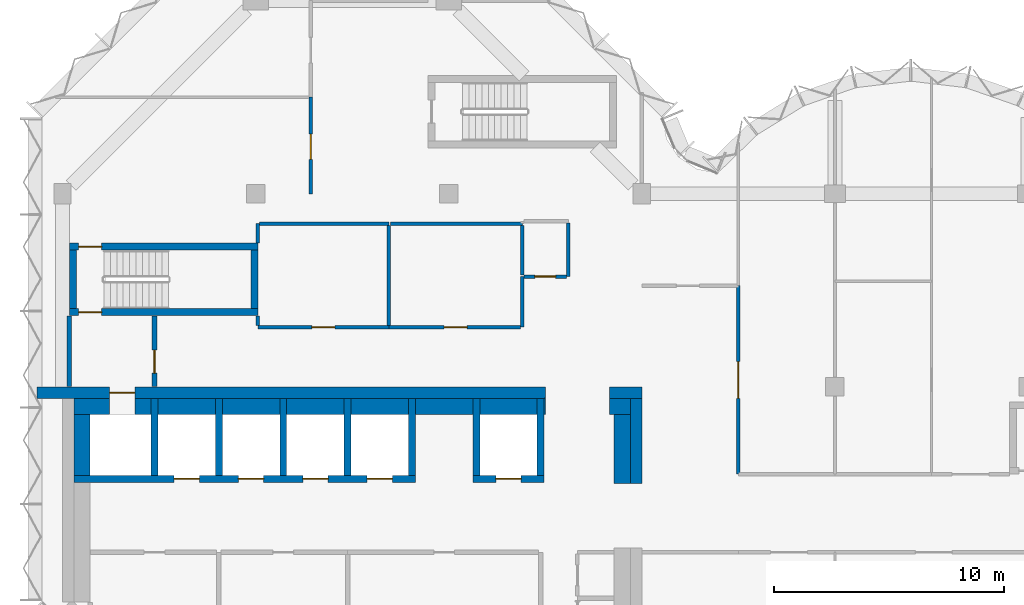
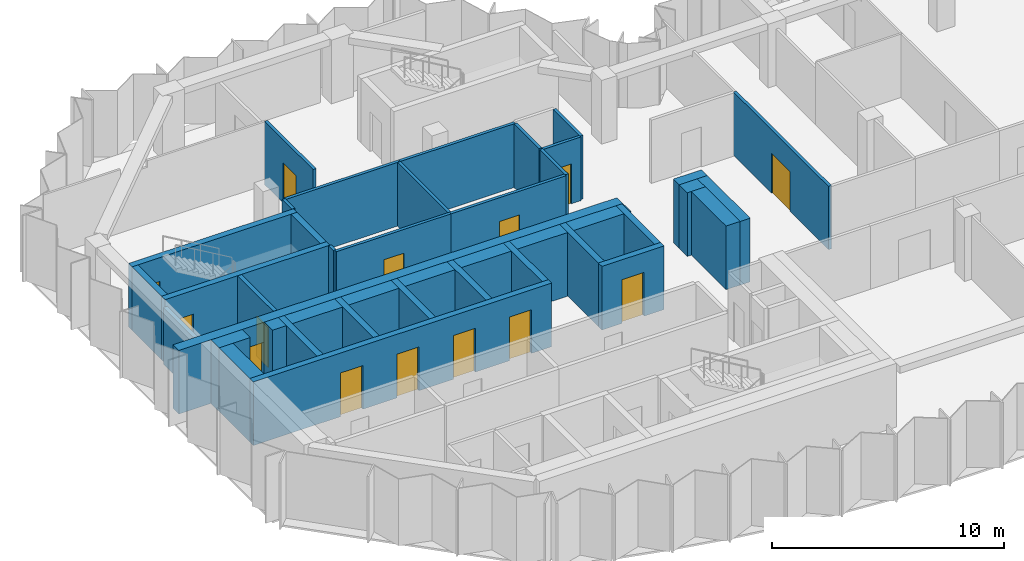
# One storey, part 5 of 10: 43 walls, 14 doors, 14 openings.
"""IFC4 building model written with IfcOpenShell, lengths in metres."""

from ifc_helpers import new_model, si_unit, direction, frame, frame_2d, origin, place, context, subcontext, project, spatial, rectangle, extrude, material, layer, layer_set, type_object, element, fill, save


model = new_model("IFC4")

# Units and contexts
model_context = context("Model", 3, precision=1e-05, world=origin(), true_north=direction((0.0, 1.0)))
body_context = subcontext(model_context, "Body", "Model", "MODEL_VIEW")
ifc_project = project(units=[si_unit("LENGTHUNIT", "METRE"), si_unit("AREAUNIT", "SQUARE_METRE"), si_unit("VOLUMEUNIT", "CUBIC_METRE"), si_unit("PLANEANGLEUNIT", "RADIAN"), si_unit("MASSUNIT", "GRAM", prefix="KILO")], contexts=[model_context])

# Site, building, storey
site_placement = place(None, origin())
site = spatial("IfcSite", under=ifc_project, at=site_placement, CompositionType="ELEMENT")
building_placement = place(site_placement, origin())
building = spatial("IfcBuilding", under=site, at=building_placement, Name="Brevane Broadcast Tower", CompositionType="ELEMENT")
storey_placement = place(building_placement, frame((0.0, 0.0, 230.10009765625)))
storey = spatial("IfcBuildingStorey", under=building, at=storey_placement, Name="L58", CompositionType="ELEMENT", Elevation=230.10009765625)

# Walls
ifc_material_1 = material(Name="Concrete C32/40", Category="concrete")
ifc_layer_1 = layer(ifc_material_1, 0.699951171875)
ifc_layer_set_1 = layer_set([ifc_layer_1], Name="Core chase wall 700 mm")
wall_type_1 = type_object("IfcWallType", Name="Core chase wall 700 mm", PredefinedType="PARTITIONING", material=ifc_layer_set_1)
wall_1_placement = place(storey_placement, frame((24.35009765625, 12.60009765625, 0.0), z_axis=(0.0, 0.0, 1.0), x_axis=(0.0, 1.0, 0.0)))
element("IfcWall", 1, at=wall_1_placement, inside=storey, type_object=wall_type_1, Name="L58 chase wall LE2", PredefinedType="PARTITIONING", context=body_context, shape_type="SweptSolid", body=[
    extrude(rectangle(XDim=3.0, YDim=0.699951171875, at=frame_2d((1.5, 0.0))), origin(), (0.0, 0.0, 1.0), 3.349853515625),
])
wall_2_placement = place(storey_placement, frame((0.5, 15.949951171875, 0.0), z_axis=(0.0, 0.0, 1.0), x_axis=(1.0, 0.0, 0.0)))
element("IfcWall", 2, at=wall_2_placement, inside=storey, type_object=wall_type_1, Name="L58 chase wall LN0", PredefinedType="PARTITIONING", context=body_context, shape_type="SweptSolid", body=[
    extrude(rectangle(XDim=1.550048828125, YDim=0.699951171875, at=frame_2d((0.77490234375, 0.0))), origin(), (0.0, 0.0, 1.0), 3.349853515625),
])
wall_3_placement = place(storey_placement, frame((23.800048828125, 15.949951171875, 0.0), z_axis=(0.0, 0.0, 1.0), x_axis=(1.0, 0.0, 0.0)))
element("IfcWall", 3, at=wall_3_placement, inside=storey, type_object=wall_type_1, Name="L58 chase wall LN2", PredefinedType="PARTITIONING", context=body_context, shape_type="SweptSolid", body=[
    extrude(rectangle(XDim=0.89990234375, YDim=0.699951171875, at=frame_2d((0.449951171875, 0.0))), origin(), (0.0, 0.0, 1.0), 3.349853515625),
])
wall_4_placement = place(storey_placement, frame((0.85009765625, 12.949951171875, 0.0), z_axis=(0.0, 0.0, 1.0), x_axis=(0.0, 1.0, 0.0)))
element("IfcWall", 4, at=wall_4_placement, inside=storey, type_object=wall_type_1, Name="L58 chase wall LW-2", PredefinedType="PARTITIONING", context=body_context, shape_type="SweptSolid", body=[
    extrude(rectangle(XDim=2.650146484375, YDim=0.699951171875, at=frame_2d((1.3251953125, 0.0))), origin(), (0.0, 0.0, 1.0), 3.349853515625),
])
wall_5_placement = place(storey_placement, frame((3.14990234375, 15.949951171875, 0.0), z_axis=(0.0, 0.0, 1.0), x_axis=(1.0, 0.0, 0.0)))
element("IfcWall", 5, at=wall_5_placement, inside=storey, type_object=wall_type_1, Name="L58 chase wall LN1-1", PredefinedType="PARTITIONING", context=body_context, shape_type="SweptSolid", body=[
    extrude(rectangle(XDim=0.7001953125, YDim=0.699951171875, at=frame_2d((0.35009765625, 0.0))), origin(), (0.0, 0.0, 1.0), 3.349853515625),
])
for number, where, z_axis, x_axis, name in (
    (6, (4.14990234375, 15.949951171875, 0.0), (0.0, 0.0, 1.0), (1.0, 0.0, 0.0), "L58 chase wall LN1-2-1"),
    (7, (6.949951171875, 15.949951171875, 0.0), (0.0, 0.0, 1.0), (1.0, 0.0, 0.0), "L58 chase wall LN1-2-2-1"),
    (8, (9.75, 15.949951171875, 0.0), (0.0, 0.0, 1.0), (1.0, 0.0, 0.0), "L58 chase wall LN1-2-2-2-1"),
    (9, (12.550048828125, 15.949951171875, 0.0), (0.0, 0.0, 1.0), (1.0, 0.0, 0.0), "L58 chase wall LN1-2-2-2-2-1"),
    (10, (15.35009765625, 15.949951171875, 0.0), (0.0, 0.0, 1.0), (1.0, 0.0, 0.0), "L58 chase wall LN1-2-2-2-2-2-1"),
    (11, (18.14990234375, 15.949951171875, 0.0), (0.0, 0.0, 1.0), (1.0, 0.0, 0.0), "L58 chase wall LN1-2-2-2-2-2-2-1"),
):
    element("IfcWall", number, at=place(storey_placement, frame(where, z_axis=z_axis, x_axis=x_axis)), inside=storey, type_object=wall_type_1, Name=name, PredefinedType="PARTITIONING", context=body_context, shape_type="SweptSolid", body=[
        extrude(rectangle(XDim=2.5, YDim=0.699951171875, at=frame_2d((1.25, 0.0))), origin(), (0.0, 0.0, 1.0), 3.349853515625),
    ])
wall_6_placement = place(storey_placement, frame((20.949951171875, 15.949951171875, 0.0), z_axis=(0.0, 0.0, 1.0), x_axis=(1.0, 0.0, 0.0)))
element("IfcWall", 12, at=wall_6_placement, inside=storey, type_object=wall_type_1, Name="L58 chase wall LN1-2-2-2-2-2-2-2", PredefinedType="PARTITIONING", context=body_context, shape_type="SweptSolid", body=[
    extrude(rectangle(XDim=0.050048828125, YDim=0.699951171875, at=frame_2d((0.02490234375, 0.0))), origin(), (0.0, 0.0, 1.0), 3.349853515625),
])

# Wall, opening, door
ifc_material_2 = material(Name="Gypsum board on steel studs", Category="steel")
ifc_layer_2 = layer(ifc_material_2, 0.14990234375)
ifc_layer_set_2 = layer_set([ifc_layer_2], Name="Core fire partition 150 mm")
wall_type_2 = type_object("IfcWallType", Name="Core fire partition 150 mm", PredefinedType="PARTITIONING", material=ifc_layer_set_2)
wall_7_placement = place(storey_placement, frame((14.199951171875, 19.39990234375, 0.0), z_axis=(0.0, 0.0, 1.0), x_axis=(-1.0, 0.0, 0.0)))
wall_7 = element("IfcWall", 13, at=wall_7_placement, inside=storey, type_object=wall_type_2, Name="L58 partition wall P22", PredefinedType="PARTITIONING", context=body_context, shape_type="SweptSolid", body=[
    extrude(rectangle(XDim=5.699951171875, YDim=0.14990234375, at=frame_2d((2.85009765625, 0.0))), origin(), (0.0, 0.0, 1.0), 3.349853515625),
])
opening_1_placement = place(wall_7_placement, frame((2.35009765625, 0.0, 0.0)))
opening_1 = element("IfcOpeningElement", 14, at=opening_1_placement, cuts=wall_7, Name="Opening L58-K24", PredefinedType="OPENING", context=body_context, shape_type="SweptSolid", body=[
    extrude(rectangle(XDim=1.0, YDim=2.10009765625, at=frame_2d((0.5, 1.050048828125))), frame((0.0, 0.0849609375, 0.0), z_axis=(0.0, -1.0, 0.0), x_axis=(1.0, 0.0, 0.0)), (0.0, 0.0, 1.0), 0.169921875),
])
ifc_material_3 = material(Name="Steel", Category="steel")
door_type_1 = type_object("IfcDoorType", Name="Service room door 1000 x 2100", OperationType="SINGLE_SWING_LEFT", PredefinedType="DOOR", material=ifc_material_3)
door_1_placement = place(opening_1_placement, origin())
door_1 = element("IfcDoor", 15, at=door_1_placement, inside=storey, type_object=door_type_1, Name="Door L58-K24", OperationType="SINGLE_SWING_LEFT", OverallHeight=2.10009765625, OverallWidth=1.0, PredefinedType="DOOR", context=body_context, shape_type="SweptSolid", body=[
    extrude(rectangle(XDim=1.0, YDim=2.10009765625, at=frame_2d((0.5, 1.050048828125))), frame((0.0, 0.02490234375, 0.0), z_axis=(0.0, -1.0, 0.0), x_axis=(1.0, 0.0, 0.0)), (0.0, 0.0, 1.0), 0.050048828125),
])
fill(opening_1, door_1)

# Walls
wall_8_placement = place(storey_placement, frame((8.5, 19.47509765625, 0.0), z_axis=(0.0, 0.0, 1.0), x_axis=(0.0, 1.0, 0.0)))
element("IfcWall", 16, at=wall_8_placement, inside=storey, type_object=wall_type_2, Name="L58 partition wall P23", PredefinedType="PARTITIONING", context=body_context, shape_type="SweptSolid", body=[
    extrude(rectangle(XDim=0.412841796875, YDim=0.14990234375, at=frame_2d((0.20654296875, 0.0))), origin(), (0.0, 0.0, 1.0), 3.349853515625),
])
wall_9_placement = place(storey_placement, frame((8.5, 23.06201171875, 0.0), z_axis=(0.0, 0.0, 1.0), x_axis=(0.0, 1.0, 0.0)))
element("IfcWall", 17, at=wall_9_placement, inside=storey, type_object=wall_type_2, Name="L58 partition wall P24", PredefinedType="PARTITIONING", context=body_context, shape_type="SweptSolid", body=[
    extrude(rectangle(XDim=0.837890625, YDim=0.14990234375, at=frame_2d((0.4189453125, 0.0))), origin(), (0.0, 0.0, 1.0), 3.349853515625),
])
wall_10_placement = place(storey_placement, frame((8.574951171875, 23.89990234375, 0.0), z_axis=(0.0, 0.0, 1.0), x_axis=(1.0, 0.0, 0.0)))
element("IfcWall", 18, at=wall_10_placement, inside=storey, type_object=wall_type_2, Name="L58 partition wall P25", PredefinedType="PARTITIONING", context=body_context, shape_type="SweptSolid", body=[
    extrude(rectangle(XDim=5.625, YDim=0.14990234375, at=frame_2d((2.8125, 0.0))), origin(), (0.0, 0.0, 1.0), 3.349853515625),
])
wall_11_placement = place(storey_placement, frame((20.0, 21.60009765625, 0.0), z_axis=(0.0, 0.0, 1.0), x_axis=(0.0, -1.0, 0.0)))
element("IfcWall", 19, at=wall_11_placement, inside=storey, type_object=wall_type_2, Name="L58 partition wall P26", PredefinedType="PARTITIONING", context=body_context, shape_type="SweptSolid", body=[
    extrude(rectangle(XDim=2.2001953125, YDim=0.14990234375, at=frame_2d((1.10009765625, 0.0))), origin(), (0.0, 0.0, 1.0), 3.349853515625),
])

# Wall, opening, door
wall_12_placement = place(storey_placement, frame((19.925048828125, 19.39990234375, 0.0), z_axis=(0.0, 0.0, 1.0), x_axis=(-1.0, 0.0, 0.0)))
wall_12 = element("IfcWall", 20, at=wall_12_placement, inside=storey, type_object=wall_type_2, Name="L58 partition wall P27", PredefinedType="PARTITIONING", context=body_context, shape_type="SweptSolid", body=[
    extrude(rectangle(XDim=5.72509765625, YDim=0.14990234375, at=frame_2d((2.862548828125, 0.0))), origin(), (0.0, 0.0, 1.0), 3.349853515625),
])
opening_2_placement = place(wall_12_placement, frame((2.324951171875, 0.0, 0.0)))
opening_2 = element("IfcOpeningElement", 21, at=opening_2_placement, cuts=wall_12, Name="Opening L58-K25", PredefinedType="OPENING", context=body_context, shape_type="SweptSolid", body=[
    extrude(rectangle(XDim=1.0, YDim=2.10009765625, at=frame_2d((0.5, 1.050048828125))), frame((0.0, 0.0849609375, 0.0), z_axis=(0.0, -1.0, 0.0), x_axis=(1.0, 0.0, 0.0)), (0.0, 0.0, 1.0), 0.169921875),
])
door_2_placement = place(opening_2_placement, origin())
door_2 = element("IfcDoor", 22, at=door_2_placement, inside=storey, type_object=door_type_1, Name="Door L58-K25", OperationType="SINGLE_SWING_RIGHT", OverallHeight=2.10009765625, OverallWidth=1.0, PredefinedType="DOOR", context=body_context, shape_type="SweptSolid", body=[
    extrude(rectangle(XDim=1.0, YDim=2.10009765625, at=frame_2d((0.5, 1.050048828125))), frame((0.0, 0.02490234375, 0.0), z_axis=(0.0, -1.0, 0.0), x_axis=(1.0, 0.0, 0.0)), (0.0, 0.0, 1.0), 0.050048828125),
])
fill(opening_2, door_2)

# Walls
wall_13_placement = place(storey_placement, frame((14.199951171875, 23.824951171875, 0.0), z_axis=(0.0, 0.0, 1.0), x_axis=(0.0, -1.0, 0.0)))
element("IfcWall", 23, at=wall_13_placement, inside=storey, type_object=wall_type_2, Name="L58 partition wall P28", PredefinedType="PARTITIONING", context=body_context, shape_type="SweptSolid", body=[
    extrude(rectangle(XDim=4.349853515625, YDim=0.14990234375, at=frame_2d((2.1748046875, 0.0))), origin(), (0.0, 0.0, 1.0), 3.349853515625),
])
wall_14_placement = place(storey_placement, frame((14.27490234375, 23.89990234375, 0.0), z_axis=(0.0, 0.0, 1.0), x_axis=(1.0, 0.0, 0.0)))
element("IfcWall", 24, at=wall_14_placement, inside=storey, type_object=wall_type_2, Name="L58 partition wall P29", PredefinedType="PARTITIONING", context=body_context, shape_type="SweptSolid", body=[
    extrude(rectangle(XDim=5.72509765625, YDim=0.14990234375, at=frame_2d((2.862548828125, 0.0))), origin(), (0.0, 0.0, 1.0), 3.349853515625),
])
wall_15_placement = place(storey_placement, frame((22.0, 23.925048828125, 0.0), z_axis=(0.0, 0.0, 1.0), x_axis=(0.0, -1.0, 0.0)))
element("IfcWall", 25, at=wall_15_placement, inside=storey, type_object=wall_type_2, Name="L58 partition wall P32", PredefinedType="PARTITIONING", context=body_context, shape_type="SweptSolid", body=[
    extrude(rectangle(XDim=2.324951171875, YDim=0.14990234375, at=frame_2d((1.16259765625, 0.0))), origin(), (0.0, 0.0, 1.0), 3.349853515625),
])

# Wall, opening, door
wall_16_placement = place(storey_placement, frame((21.925048828125, 21.60009765625, 0.0), z_axis=(0.0, 0.0, 1.0), x_axis=(-1.0, 0.0, 0.0)))
wall_16 = element("IfcWall", 26, at=wall_16_placement, inside=storey, type_object=wall_type_2, Name="L58 partition wall P33", PredefinedType="PARTITIONING", context=body_context, shape_type="SweptSolid", body=[
    extrude(rectangle(XDim=1.85009765625, YDim=0.14990234375, at=frame_2d((0.925048828125, 0.0))), origin(), (0.0, 0.0, 1.0), 3.349853515625),
])
opening_3_placement = place(wall_16_placement, frame((0.47509765625, 0.0, 0.0)))
opening_3 = element("IfcOpeningElement", 27, at=opening_3_placement, cuts=wall_16, Name="Opening L58-K23", PredefinedType="OPENING", context=body_context, shape_type="SweptSolid", body=[
    extrude(rectangle(XDim=0.89990234375, YDim=2.10009765625, at=frame_2d((0.449951171875, 1.050048828125))), frame((0.0, 0.0849609375, 0.0), z_axis=(0.0, -1.0, 0.0), x_axis=(1.0, 0.0, 0.0)), (0.0, 0.0, 1.0), 0.169921875),
])
ifc_material_4 = material(Name="Timber", Category="wood")
door_type_2 = type_object("IfcDoorType", Name="Toilet door 900 x 2100", OperationType="SINGLE_SWING_LEFT", PredefinedType="DOOR", material=ifc_material_4)
door_3_placement = place(opening_3_placement, origin())
door_3 = element("IfcDoor", 28, at=door_3_placement, inside=storey, type_object=door_type_2, Name="Door L58-K23", OperationType="SINGLE_SWING_RIGHT", OverallHeight=2.10009765625, OverallWidth=0.89990234375, PredefinedType="DOOR", context=body_context, shape_type="SweptSolid", body=[
    extrude(rectangle(XDim=0.89990234375, YDim=2.10009765625, at=frame_2d((0.449951171875, 1.050048828125))), frame((0.0, 0.02490234375, 0.0), z_axis=(0.0, -1.0, 0.0), x_axis=(1.0, 0.0, 0.0)), (0.0, 0.0, 1.0), 0.050048828125),
])
fill(opening_3, door_3)

# Walls
wall_17_placement = place(storey_placement, frame((20.0, 21.675048828125, 0.0), z_axis=(0.0, 0.0, 1.0), x_axis=(0.0, 1.0, 0.0)))
element("IfcWall", 29, at=wall_17_placement, inside=storey, type_object=wall_type_2, Name="L58 partition wall P34", PredefinedType="PARTITIONING", context=body_context, shape_type="SweptSolid", body=[
    extrude(rectangle(XDim=2.14990234375, YDim=0.14990234375, at=frame_2d((1.074951171875, 0.0))), origin(), (0.0, 0.0, 1.0), 3.349853515625),
])
ifc_layer_3 = layer(ifc_material_2, 0.199951171875)
ifc_layer_set_3 = layer_set([ifc_layer_3], Name="Core fire partition 200 mm")
wall_type_3 = type_object("IfcWallType", Name="Core fire partition 200 mm", PredefinedType="PARTITIONING", material=ifc_layer_set_3)
wall_18_placement = place(storey_placement, frame((0.300048828125, 16.81201171875, 0.0), z_axis=(0.0, 0.0, 1.0), x_axis=(0.0, 1.0, 0.0)))
element("IfcWall", 30, at=wall_18_placement, inside=storey, type_object=wall_type_3, Name="L58 partition wall P01", PredefinedType="PARTITIONING", context=body_context, shape_type="SweptSolid", body=[
    extrude(rectangle(XDim=3.075927734375, YDim=0.199951171875, at=frame_2d((1.5380859375, 0.0))), origin(), (0.0, 0.0, 1.0), 2.97998046875),
])

# Wall, opening, door
wall_19_placement = place(storey_placement, frame((4.0, 19.887939453125, 0.0), z_axis=(0.0, 0.0, 1.0), x_axis=(0.0, -1.0, 0.0)))
wall_19 = element("IfcWall", 31, at=wall_19_placement, inside=storey, type_object=wall_type_3, Name="L58 partition wall P02", PredefinedType="PARTITIONING", context=body_context, shape_type="SweptSolid", body=[
    extrude(rectangle(XDim=3.075927734375, YDim=0.199951171875, at=frame_2d((1.5380859375, 0.0))), origin(), (0.0, 0.0, 1.0), 3.349853515625),
])
opening_4_placement = place(wall_19_placement, frame((1.488037109375, 0.0, 0.0)))
opening_4 = element("IfcOpeningElement", 32, at=opening_4_placement, cuts=wall_19, Name="Opening L58-K22", PredefinedType="OPENING", context=body_context, shape_type="SweptSolid", body=[
    extrude(rectangle(XDim=1.0, YDim=2.10009765625, at=frame_2d((0.5, 1.050048828125))), frame((0.0, 0.10986328125, 0.0), z_axis=(0.0, -1.0, 0.0), x_axis=(1.0, 0.0, 0.0)), (0.0, 0.0, 1.0), 0.219970703125),
])
door_type_3 = type_object("IfcDoorType", Name="Stair door 1000 x 2100", OperationType="SINGLE_SWING_LEFT", PredefinedType="DOOR", material=ifc_material_3)
door_4_placement = place(opening_4_placement, origin())
door_4 = element("IfcDoor", 33, at=door_4_placement, inside=storey, type_object=door_type_3, Name="Door L58-K22", OperationType="SINGLE_SWING_LEFT", OverallHeight=2.10009765625, OverallWidth=1.0, PredefinedType="DOOR", context=body_context, shape_type="SweptSolid", body=[
    extrude(rectangle(XDim=1.0, YDim=2.10009765625, at=frame_2d((0.5, 1.050048828125))), frame((0.0, 0.02490234375, 0.0), z_axis=(0.0, -1.0, 0.0), x_axis=(1.0, 0.0, 0.0)), (0.0, 0.0, 1.0), 0.050048828125),
])
fill(opening_4, door_4)

# Wall, openings, doors
ifc_material_5 = material(Name="Concrete C50/60", Category="concrete")
ifc_layer_4 = layer(ifc_material_5, 0.300048828125)
ifc_layer_set_4 = layer_set([ifc_layer_4], Name="Core wall 300 mm C50/60")
wall_type_4 = type_object("IfcWallType", Name="Core wall 300 mm C50/60", PredefinedType="SHEAR", material=ifc_layer_set_4)
wall_20_placement = place(storey_placement, frame((0.5, 12.800048828125, 0.0), z_axis=(0.0, 0.0, 1.0), x_axis=(1.0, 0.0, 0.0)))
wall_20 = element("IfcWall", 34, at=wall_20_placement, inside=storey, type_object=wall_type_4, Name="L58 shaft wall SH-N012-front", PredefinedType="SHEAR", context=body_context, shape_type="SweptSolid", body=[
    extrude(rectangle(XDim=14.85009765625, YDim=0.300048828125, at=frame_2d((7.425048828125, 0.0))), origin(), (0.0, 0.0, 1.0), 3.349853515625),
])
opening_5_placement = place(wall_20_placement, frame((4.35009765625, 0.0, 0.0)))
opening_5 = element("IfcOpeningElement", 35, at=opening_5_placement, cuts=wall_20, Name="Opening LD", PredefinedType="OPENING", context=body_context, shape_type="SweptSolid", body=[
    extrude(rectangle(XDim=1.10009765625, YDim=2.300048828125, at=frame_2d((0.550048828125, 1.14990234375))), frame((0.0, 0.159912109375, 0.0), z_axis=(0.0, -1.0, 0.0), x_axis=(1.0, 0.0, 0.0)), (0.0, 0.0, 1.0), 0.320068359375),
])
opening_6_placement = place(wall_20_placement, frame((7.14990234375, 0.0, 0.0)))
opening_6 = element("IfcOpeningElement", 36, at=opening_6_placement, cuts=wall_20, Name="Opening LD", PredefinedType="OPENING", context=body_context, shape_type="SweptSolid", body=[
    extrude(rectangle(XDim=1.10009765625, YDim=2.300048828125, at=frame_2d((0.550048828125, 1.14990234375))), frame((0.0, 0.159912109375, 0.0), z_axis=(0.0, -1.0, 0.0), x_axis=(1.0, 0.0, 0.0)), (0.0, 0.0, 1.0), 0.320068359375),
])
opening_7_placement = place(wall_20_placement, frame((9.949951171875, 0.0, 0.0)))
opening_7 = element("IfcOpeningElement", 37, at=opening_7_placement, cuts=wall_20, Name="Opening LD", PredefinedType="OPENING", context=body_context, shape_type="SweptSolid", body=[
    extrude(rectangle(XDim=1.10009765625, YDim=2.300048828125, at=frame_2d((0.550048828125, 1.14990234375))), frame((0.0, 0.159912109375, 0.0), z_axis=(0.0, -1.0, 0.0), x_axis=(1.0, 0.0, 0.0)), (0.0, 0.0, 1.0), 0.320068359375),
])
opening_8_placement = place(wall_20_placement, frame((12.75, 0.0, 0.0)))
opening_8 = element("IfcOpeningElement", 38, at=opening_8_placement, cuts=wall_20, Name="Opening LD", PredefinedType="OPENING", context=body_context, shape_type="SweptSolid", body=[
    extrude(rectangle(XDim=1.10009765625, YDim=2.300048828125, at=frame_2d((0.550048828125, 1.14990234375))), frame((0.0, 0.159912109375, 0.0), z_axis=(0.0, -1.0, 0.0), x_axis=(1.0, 0.0, 0.0)), (0.0, 0.0, 1.0), 0.320068359375),
])
ifc_material_6 = material(Name="Stainless steel", Category="steel")
door_type_4 = type_object("IfcDoorType", Name="Lift landing door", OperationType="SLIDING_TO_LEFT", PredefinedType="DOOR", material=ifc_material_6)
door_5_placement = place(opening_5_placement, origin())
door_5 = element("IfcDoor", 39, at=door_5_placement, inside=storey, type_object=door_type_4, Name="Landing door HR1 L58", OperationType="SLIDING_TO_LEFT", OverallHeight=2.300048828125, OverallWidth=1.10009765625, PredefinedType="DOOR", context=body_context, shape_type="SweptSolid", body=[
    extrude(rectangle(XDim=1.10009765625, YDim=2.300048828125, at=frame_2d((0.550048828125, 1.14990234375))), frame((0.0, 0.02490234375, 0.0), z_axis=(0.0, -1.0, 0.0), x_axis=(1.0, 0.0, 0.0)), (0.0, 0.0, 1.0), 0.050048828125),
])
fill(opening_5, door_5)
door_6_placement = place(opening_6_placement, origin())
door_6 = element("IfcDoor", 40, at=door_6_placement, inside=storey, type_object=door_type_4, Name="Landing door HR2 L58", OperationType="SLIDING_TO_LEFT", OverallHeight=2.300048828125, OverallWidth=1.10009765625, PredefinedType="DOOR", context=body_context, shape_type="SweptSolid", body=[
    extrude(rectangle(XDim=1.10009765625, YDim=2.300048828125, at=frame_2d((0.550048828125, 1.14990234375))), frame((0.0, 0.02490234375, 0.0), z_axis=(0.0, -1.0, 0.0), x_axis=(1.0, 0.0, 0.0)), (0.0, 0.0, 1.0), 0.050048828125),
])
fill(opening_6, door_6)
door_7_placement = place(opening_7_placement, origin())
door_7 = element("IfcDoor", 41, at=door_7_placement, inside=storey, type_object=door_type_4, Name="Landing door HR3 L58", OperationType="SLIDING_TO_LEFT", OverallHeight=2.300048828125, OverallWidth=1.10009765625, PredefinedType="DOOR", context=body_context, shape_type="SweptSolid", body=[
    extrude(rectangle(XDim=1.10009765625, YDim=2.300048828125, at=frame_2d((0.550048828125, 1.14990234375))), frame((0.0, 0.02490234375, 0.0), z_axis=(0.0, -1.0, 0.0), x_axis=(1.0, 0.0, 0.0)), (0.0, 0.0, 1.0), 0.050048828125),
])
fill(opening_7, door_7)
door_8_placement = place(opening_8_placement, origin())
door_8 = element("IfcDoor", 42, at=door_8_placement, inside=storey, type_object=door_type_4, Name="Landing door HR4 L58", OperationType="SLIDING_TO_LEFT", OverallHeight=2.300048828125, OverallWidth=1.10009765625, PredefinedType="DOOR", context=body_context, shape_type="SweptSolid", body=[
    extrude(rectangle(XDim=1.10009765625, YDim=2.300048828125, at=frame_2d((0.550048828125, 1.14990234375))), frame((0.0, 0.02490234375, 0.0), z_axis=(0.0, -1.0, 0.0), x_axis=(1.0, 0.0, 0.0)), (0.0, 0.0, 1.0), 0.050048828125),
])
fill(opening_8, door_8)

# Walls
for number, where, z_axis, x_axis, name in (
    (43, (4.0, 12.949951171875, 0.0), (0.0, 0.0, 1.0), (0.0, 1.0, 0.0), "L58 shaft wall SH-N-P040"),
    (44, (6.800048828125, 12.949951171875, 0.0), (0.0, 0.0, 1.0), (0.0, 1.0, 0.0), "L58 shaft wall SH-N-P068"),
    (45, (9.60009765625, 12.949951171875, 0.0), (0.0, 0.0, 1.0), (0.0, 1.0, 0.0), "L58 shaft wall SH-N-P096"),
    (46, (12.39990234375, 12.949951171875, 0.0), (0.0, 0.0, 1.0), (0.0, 1.0, 0.0), "L58 shaft wall SH-N-P124"),
    (47, (15.199951171875, 12.949951171875, 0.0), (0.0, 0.0, 1.0), (0.0, 1.0, 0.0), "L58 shaft wall SH-N-P152"),
):
    element("IfcWall", number, at=place(storey_placement, frame(where, z_axis=z_axis, x_axis=x_axis)), inside=storey, type_object=wall_type_4, Name=name, PredefinedType="SHEAR", context=body_context, shape_type="SweptSolid", body=[
        extrude(rectangle(XDim=3.35009765625, YDim=0.300048828125, at=frame_2d((1.675048828125, 0.0))), origin(), (0.0, 0.0, 1.0), 3.349853515625),
    ])

# Wall, opening, door
wall_21_placement = place(storey_placement, frame((17.85009765625, 12.800048828125, 0.0), z_axis=(0.0, 0.0, 1.0), x_axis=(1.0, 0.0, 0.0)))
wall_21 = element("IfcWall", 48, at=wall_21_placement, inside=storey, type_object=wall_type_4, Name="L58 shaft wall SH-N180-front", PredefinedType="SHEAR", context=body_context, shape_type="SweptSolid", body=[
    extrude(rectangle(XDim=3.099853515625, YDim=0.300048828125, at=frame_2d((1.5498046875, 0.0))), origin(), (0.0, 0.0, 1.0), 3.349853515625),
])
opening_9_placement = place(wall_21_placement, frame((1.0, 0.0, 0.0)))
opening_9 = element("IfcOpeningElement", 49, at=opening_9_placement, cuts=wall_21, Name="Opening LD", PredefinedType="OPENING", context=body_context, shape_type="SweptSolid", body=[
    extrude(rectangle(XDim=1.10009765625, YDim=2.300048828125, at=frame_2d((0.550048828125, 1.14990234375))), frame((0.0, 0.159912109375, 0.0), z_axis=(0.0, -1.0, 0.0), x_axis=(1.0, 0.0, 0.0)), (0.0, 0.0, 1.0), 0.320068359375),
])
door_9_placement = place(opening_9_placement, origin())
door_9 = element("IfcDoor", 50, at=door_9_placement, inside=storey, type_object=door_type_4, Name="Landing door SL1 L58", OperationType="SLIDING_TO_LEFT", OverallHeight=2.300048828125, OverallWidth=1.10009765625, PredefinedType="DOOR", context=body_context, shape_type="SweptSolid", body=[
    extrude(rectangle(XDim=1.10009765625, YDim=2.300048828125, at=frame_2d((0.550048828125, 1.14990234375))), frame((0.0, 0.02490234375, 0.0), z_axis=(0.0, -1.0, 0.0), x_axis=(1.0, 0.0, 0.0)), (0.0, 0.0, 1.0), 0.050048828125),
])
fill(opening_9, door_9)

# Walls
for number, where, z_axis, x_axis, name in (
    (51, (18.0, 12.949951171875, 0.0), (0.0, 0.0, 1.0), (0.0, 1.0, 0.0), "L58 shaft wall SH-N-P180"),
    (52, (20.800048828125, 12.949951171875, 0.0), (0.0, 0.0, 1.0), (0.0, 1.0, 0.0), "L58 shaft wall SH-N-P208"),
):
    element("IfcWall", number, at=place(storey_placement, frame(where, z_axis=z_axis, x_axis=x_axis)), inside=storey, type_object=wall_type_4, Name=name, PredefinedType="SHEAR", context=body_context, shape_type="SweptSolid", body=[
        extrude(rectangle(XDim=3.35009765625, YDim=0.300048828125, at=frame_2d((1.675048828125, 0.0))), origin(), (0.0, 0.0, 1.0), 3.349853515625),
    ])

# Wall, opening, door
wall_22_placement = place(storey_placement, frame((8.5, 20.050048828125, 0.0), z_axis=(0.0, 0.0, 1.0), x_axis=(-1.0, 0.0, 0.0)))
wall_22 = element("IfcWall", 53, at=wall_22_placement, inside=storey, type_object=wall_type_4, Name="L58 stair wall ST-1-S", PredefinedType="SHEAR", context=body_context, shape_type="SweptSolid", body=[
    extrude(rectangle(XDim=8.199951171875, YDim=0.300048828125, at=frame_2d((4.10009765625, 0.0))), origin(), (0.0, 0.0, 1.0), 3.349853515625),
])
opening_10_placement = place(wall_22_placement, frame((6.800048828125, 0.0, 0.0)))
opening_10 = element("IfcOpeningElement", 54, at=opening_10_placement, cuts=wall_22, Name="Opening L58-K08", PredefinedType="OPENING", context=body_context, shape_type="SweptSolid", body=[
    extrude(rectangle(XDim=1.0, YDim=2.10009765625, at=frame_2d((0.5, 1.050048828125))), frame((0.0, 0.159912109375, 0.0), z_axis=(0.0, -1.0, 0.0), x_axis=(1.0, 0.0, 0.0)), (0.0, 0.0, 1.0), 0.320068359375),
])
door_10_placement = place(opening_10_placement, origin())
door_10 = element("IfcDoor", 55, at=door_10_placement, inside=storey, type_object=door_type_3, Name="Door L58-K08", OperationType="SINGLE_SWING_LEFT", OverallHeight=2.10009765625, OverallWidth=1.0, PredefinedType="DOOR", context=body_context, shape_type="SweptSolid", body=[
    extrude(rectangle(XDim=1.0, YDim=2.10009765625, at=frame_2d((0.5, 1.050048828125))), frame((0.0, 0.02490234375, 0.0), z_axis=(0.0, -1.0, 0.0), x_axis=(1.0, 0.0, 0.0)), (0.0, 0.0, 1.0), 0.050048828125),
])
fill(opening_10, door_10)

wall_23_placement = place(storey_placement, frame((0.300048828125, 22.89990234375, 0.0), z_axis=(0.0, 0.0, 1.0), x_axis=(1.0, 0.0, 0.0)))
wall_23 = element("IfcWall", 56, at=wall_23_placement, inside=storey, type_object=wall_type_4, Name="L58 stair wall ST-1-N", PredefinedType="SHEAR", context=body_context, shape_type="SweptSolid", body=[
    extrude(rectangle(XDim=8.199951171875, YDim=0.300048828125, at=frame_2d((4.10009765625, 0.0))), origin(), (0.0, 0.0, 1.0), 3.349853515625),
])
opening_11_placement = place(wall_23_placement, frame((0.39990234375, 0.0, 0.0)))
opening_11 = element("IfcOpeningElement", 57, at=opening_11_placement, cuts=wall_23, Name="Opening L58-K09", PredefinedType="OPENING", context=body_context, shape_type="SweptSolid", body=[
    extrude(rectangle(XDim=1.0, YDim=2.10009765625, at=frame_2d((0.5, 1.050048828125))), frame((0.0, 0.159912109375, 0.0), z_axis=(0.0, -1.0, 0.0), x_axis=(1.0, 0.0, 0.0)), (0.0, 0.0, 1.0), 0.320068359375),
])
door_11_placement = place(opening_11_placement, origin())
door_11 = element("IfcDoor", 58, at=door_11_placement, inside=storey, type_object=door_type_3, Name="Door L58-K09", OperationType="SINGLE_SWING_RIGHT", OverallHeight=2.10009765625, OverallWidth=1.0, PredefinedType="DOOR", context=body_context, shape_type="SweptSolid", body=[
    extrude(rectangle(XDim=1.0, YDim=2.10009765625, at=frame_2d((0.5, 1.050048828125))), frame((0.0, 0.02490234375, 0.0), z_axis=(0.0, -1.0, 0.0), x_axis=(1.0, 0.0, 0.0)), (0.0, 0.0, 1.0), 0.050048828125),
])
fill(opening_11, door_11)

# Walls
for number, where, z_axis, x_axis, name in (
    (59, (0.449951171875, 20.199951171875, 0.0), (0.0, 0.0, 1.0), (0.0, 1.0, 0.0), "L58 stair wall ST-1-W"),
    (60, (8.35009765625, 20.199951171875, 0.0), (0.0, 0.0, 1.0), (0.0, 1.0, 0.0), "L58 stair wall ST-1-E"),
):
    element("IfcWall", number, at=place(storey_placement, frame(where, z_axis=z_axis, x_axis=x_axis)), inside=storey, type_object=wall_type_4, Name=name, PredefinedType="SHEAR", context=body_context, shape_type="SweptSolid", body=[
        extrude(rectangle(XDim=2.550048828125, YDim=0.300048828125, at=frame_2d((1.27490234375, 0.0))), origin(), (0.0, 0.0, 1.0), 3.349853515625),
    ])

# Wall, opening, door
ifc_layer_5 = layer(ifc_material_5, 0.5)
ifc_layer_set_5 = layer_set([ifc_layer_5], Name="Core wall 500 mm C50/60")
wall_type_5 = type_object("IfcWallType", Name="Core wall 500 mm C50/60", PredefinedType="SHEAR", material=ifc_layer_set_5)
wall_24_placement = place(storey_placement, frame((-1.10009765625, 16.550048828125, 0.0), z_axis=(0.0, 0.0, 1.0), x_axis=(1.0, 0.0, 0.0)))
wall_24 = element("IfcWall", 61, at=wall_24_placement, inside=storey, type_object=wall_type_5, Name="L58 outer wall WN1", PredefinedType="SHEAR", context=body_context, shape_type="SweptSolid", body=[
    extrude(rectangle(XDim=22.10009765625, YDim=0.5, at=frame_2d((11.050048828125, 0.0))), origin(), (0.0, 0.0, 1.0), 3.349853515625),
])
opening_12_placement = place(wall_24_placement, frame((3.14990234375, 0.0, 0.0)))
opening_12 = element("IfcOpeningElement", 62, at=opening_12_placement, cuts=wall_24, Name="Opening LD", PredefinedType="OPENING", context=body_context, shape_type="SweptSolid", body=[
    extrude(rectangle(XDim=1.10009765625, YDim=2.300048828125, at=frame_2d((0.550048828125, 1.14990234375))), frame((0.0, 0.260009765625, 0.0), z_axis=(0.0, -1.0, 0.0), x_axis=(1.0, 0.0, 0.0)), (0.0, 0.0, 1.0), 0.52001953125),
])
door_12_placement = place(opening_12_placement, origin())
door_12 = element("IfcDoor", 63, at=door_12_placement, inside=storey, type_object=door_type_4, Name="Landing door FF1 L58", OperationType="SLIDING_TO_LEFT", OverallHeight=2.300048828125, OverallWidth=1.10009765625, PredefinedType="DOOR", context=body_context, shape_type="SweptSolid", body=[
    extrude(rectangle(XDim=1.10009765625, YDim=2.300048828125, at=frame_2d((0.550048828125, 1.14990234375))), frame((0.0, 0.02490234375, 0.0), z_axis=(0.0, -1.0, 0.0), x_axis=(1.0, 0.0, 0.0)), (0.0, 0.0, 1.0), 0.050048828125),
])
fill(opening_12, door_12)

# Walls
wall_25_placement = place(storey_placement, frame((23.800048828125, 16.550048828125, 0.0), z_axis=(0.0, 0.0, 1.0), x_axis=(1.0, 0.0, 0.0)))
element("IfcWall", 64, at=wall_25_placement, inside=storey, type_object=wall_type_5, Name="L58 outer wall WN2", PredefinedType="SHEAR", context=body_context, shape_type="SweptSolid", body=[
    extrude(rectangle(XDim=1.39990234375, YDim=0.5, at=frame_2d((0.699951171875, 0.0))), origin(), (0.0, 0.0, 1.0), 3.349853515625),
])
wall_26_placement = place(storey_placement, frame((24.949951171875, 12.60009765625, 0.0), z_axis=(0.0, 0.0, 1.0), x_axis=(0.0, 1.0, 0.0)))
element("IfcWall", 65, at=wall_26_placement, inside=storey, type_object=wall_type_5, Name="L58 outer wall WE2", PredefinedType="SHEAR", context=body_context, shape_type="SweptSolid", body=[
    extrude(rectangle(XDim=3.699951171875, YDim=0.5, at=frame_2d((1.85009765625, 0.0))), origin(), (0.0, 0.0, 1.0), 3.349853515625),
])

# Wall, opening, door
ifc_material_7 = material(Name="Gypsum board partition")
ifc_layer_6 = layer(ifc_material_7, 0.14990234375)
ifc_layer_set_6 = layer_set([ifc_layer_6], Name="PARTITION 150 EI 60")
wall_type_6 = type_object("IfcWallType", Name="PARTITION 150 EI 60", PredefinedType="PARTITIONING", material=ifc_layer_set_6)
wall_27_placement = place(storey_placement, frame((29.39990234375, 21.199951171875, 0.0), z_axis=(0.0, 0.0, 1.0), x_axis=(0.0, -1.0, 0.0)))
wall_27 = element("IfcWall", 66, at=wall_27_placement, inside=storey, type_object=wall_type_6, Name="Partition G18-003", PredefinedType="PARTITIONING", context=body_context, shape_type="SweptSolid", body=[
    extrude(rectangle(XDim=8.199951171875, YDim=0.14990234375, at=frame_2d((4.10009765625, 0.0))), origin(), (0.0, 0.0, 1.0), 3.329833984375),
])
opening_13_placement = place(wall_27_placement, frame((3.300048828125, 0.0, 0.0)))
opening_13 = element("IfcOpeningElement", 67, at=opening_13_placement, cuts=wall_27, Name="Opening D29-005", PredefinedType="OPENING", context=body_context, shape_type="SweptSolid", body=[
    extrude(rectangle(XDim=1.60009765625, YDim=2.10009765625, at=frame_2d((0.800048828125, 1.050048828125))), frame((0.0, 0.0849609375, 0.0), z_axis=(0.0, -1.0, 0.0), x_axis=(1.0, 0.0, 0.0)), (0.0, 0.0, 1.0), 0.169921875),
])
ifc_material_8 = material(Name="Fire-rated timber door leaf", Category="wood")
door_type_5 = type_object("IfcDoorType", Name="DOOR DOUBLE 1600 FD30S", OperationType="DOUBLE_DOOR_SINGLE_SWING", PredefinedType="DOOR", material=ifc_material_8)
door_13_placement = place(opening_13_placement, origin())
door_13 = element("IfcDoor", 68, at=door_13_placement, inside=storey, type_object=door_type_5, Name="Door D29-005", OperationType="DOUBLE_DOOR_SINGLE_SWING", OverallHeight=2.10009765625, OverallWidth=1.60009765625, PredefinedType="DOOR", context=body_context, shape_type="SweptSolid", body=[
    extrude(rectangle(XDim=1.60009765625, YDim=2.10009765625, at=frame_2d((0.800048828125, 1.050048828125))), frame((0.0, 0.02490234375, 0.0), z_axis=(0.0, -1.0, 0.0), x_axis=(1.0, 0.0, 0.0)), (0.0, 0.0, 1.0), 0.050048828125),
])
fill(opening_13, door_13)

wall_28_placement = place(storey_placement, frame((10.800048828125, 25.199951171875, 0.0), z_axis=(0.0, 0.0, 1.0), x_axis=(0.0, 1.0, 0.0)))
wall_28 = element("IfcWall", 69, at=wall_28_placement, inside=storey, type_object=wall_type_6, Name="Partition G18-031", PredefinedType="PARTITIONING", context=body_context, shape_type="SweptSolid", body=[
    extrude(rectangle(XDim=4.199951171875, YDim=0.14990234375, at=frame_2d((2.10009765625, 0.0))), origin(), (0.0, 0.0, 1.0), 3.329833984375),
])
opening_14_placement = place(wall_28_placement, frame((1.5, 0.0, 0.0)))
opening_14 = element("IfcOpeningElement", 70, at=opening_14_placement, cuts=wall_28, Name="Opening D29-011", PredefinedType="OPENING", context=body_context, shape_type="SweptSolid", body=[
    extrude(rectangle(XDim=1.10009765625, YDim=2.10009765625, at=frame_2d((0.550048828125, 1.050048828125))), frame((0.0, 0.0849609375, 0.0), z_axis=(0.0, -1.0, 0.0), x_axis=(1.0, 0.0, 0.0)), (0.0, 0.0, 1.0), 0.169921875),
])
door_type_6 = type_object("IfcDoorType", Name="DOOR SINGLE 1100 FD30S", OperationType="SINGLE_SWING_LEFT", PredefinedType="DOOR", material=ifc_material_8)
door_14_placement = place(opening_14_placement, origin())
door_14 = element("IfcDoor", 71, at=door_14_placement, inside=storey, type_object=door_type_6, Name="Door D29-011", OperationType="SINGLE_SWING_LEFT", OverallHeight=2.10009765625, OverallWidth=1.10009765625, PredefinedType="DOOR", context=body_context, shape_type="SweptSolid", body=[
    extrude(rectangle(XDim=1.10009765625, YDim=2.10009765625, at=frame_2d((0.550048828125, 1.050048828125))), frame((0.0, 0.02490234375, 0.0), z_axis=(0.0, -1.0, 0.0), x_axis=(1.0, 0.0, 0.0)), (0.0, 0.0, 1.0), 0.050048828125),
])
fill(opening_14, door_14)

save(model, "model.ifc")
